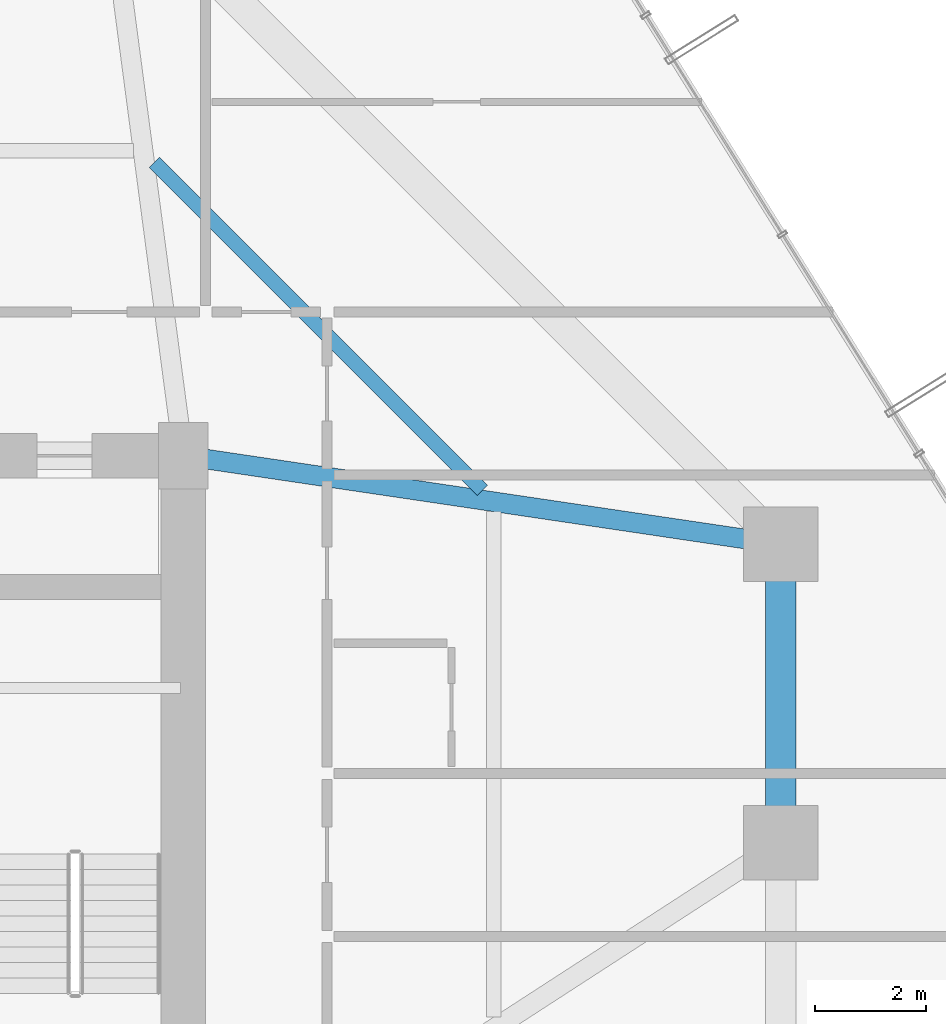
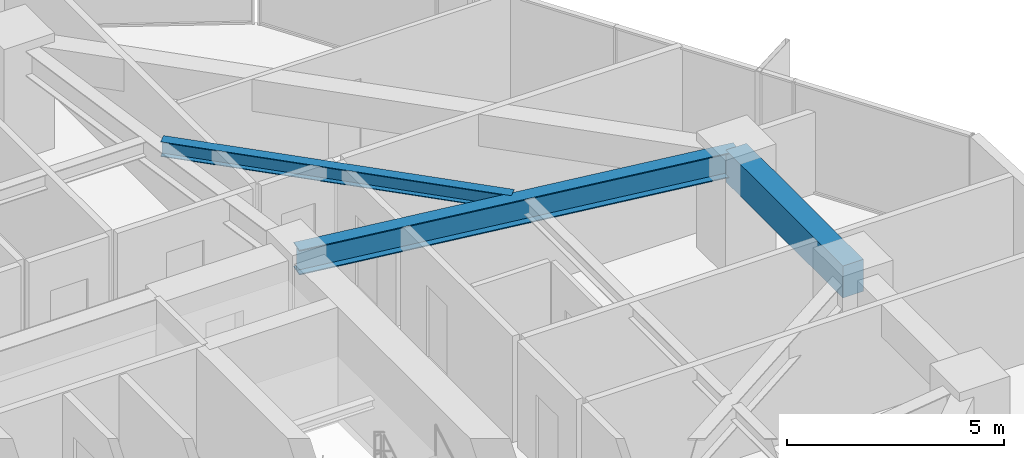
# One storey, part 21 of 39: 3 beams.
"""IFC4 building model written with IfcOpenShell, lengths in metres."""

from ifc_helpers import new_model, si_unit, direction, frame, origin, origin_2d, place, context, subcontext, project, spatial, rectangle, i_section, extrude, material, material_profile, profile_set, type_object, element, save


model = new_model("IFC4")

# Units and contexts
model_context = context("Model", 3, precision=1e-05, world=origin(), true_north=direction((0.0, 1.0)))
body_context = subcontext(model_context, "Body", "Model", "MODEL_VIEW")
ifc_project = project(units=[si_unit("LENGTHUNIT", "METRE"), si_unit("AREAUNIT", "SQUARE_METRE"), si_unit("VOLUMEUNIT", "CUBIC_METRE"), si_unit("PLANEANGLEUNIT", "RADIAN"), si_unit("MASSUNIT", "GRAM", prefix="KILO")], contexts=[model_context])

# Site, building, storey
site_placement = place(None, origin())
site = spatial("IfcSite", under=ifc_project, at=site_placement, CompositionType="ELEMENT")
building_placement = place(site_placement, origin())
building = spatial("IfcBuilding", under=site, at=building_placement, Name="Veraguas Prism Commons", CompositionType="ELEMENT")
storey_placement = place(building_placement, frame((0.0, 0.0, 30.550048828125)))
storey = spatial("IfcBuildingStorey", under=building, at=storey_placement, Name="L07", CompositionType="ELEMENT", Elevation=30.550048828125)

# Beams
ifc_material_1 = material(Name="Steel ASTM A992 Grade 50", Category="steel")
ifc_material_profile_1 = material_profile(ifc_material_1, i_section(OverallWidth=0.260986328125, OverallDepth=0.419921875, WebThickness=0.01171875, FlangeThickness=0.019287109375, at=origin_2d()), Name="W410X114")
ifc_profile_set_1 = profile_set([ifc_material_profile_1], Name="Steel ASTM A992 Grade 50")
beam_type_1 = type_object("IfcBeamType", Name="Lower Floor Joist W410x114", PredefinedType="JOIST", material=ifc_profile_set_1)
beam_1_placement = place(storey_placement, frame((36.20703125, 30.376953125, 2.7900390625), z_axis=(-0.707092226423, 0.70712133565, 0.0), x_axis=(-0.70712133565, -0.707092226423, 0.0)))
element("IfcBeam", 1, at=beam_1_placement, inside=storey, type_object=beam_type_1, Name="Composite Floor Joist L07-JS03", PredefinedType="JOIST", context=body_context, shape_type="SweptSolid", body=[
    extrude(i_section(OverallWidth=0.260986328125, OverallDepth=0.419921875, WebThickness=0.01171875, FlangeThickness=0.019287109375, at=origin_2d()), origin(), (0.0, 0.0, 1.0), 8.386962890625),
])
ifc_material_2 = material(Name="Concrete C50/60", Category="concrete")
ifc_material_profile_2 = material_profile(ifc_material_2, rectangle(XDim=0.550048828125, YDim=0.89990234375, at=origin_2d()), Name="RC550X900")
ifc_profile_set_2 = profile_set([ifc_material_profile_2], Name="Concrete C50/60")
beam_type_2 = type_object("IfcBeamType", Name="Perimeter Spandrel Lower RC 550x900", PredefinedType="SPANDREL", material=ifc_profile_set_2)
beam_2_placement = place(storey_placement, frame((41.60009765625, 24.0, 2.550048828125), z_axis=(0.0, 1.0, 0.0), x_axis=(-1.0, 0.0, 0.0)))
element("IfcBeam", 2, at=beam_2_placement, inside=storey, type_object=beam_type_2, Name="Perimeter Spandrel Beam L07-SP02", PredefinedType="SPANDREL", context=body_context, shape_type="SweptSolid", body=[
    extrude(rectangle(XDim=0.550048828125, YDim=0.89990234375, at=origin_2d()), origin(), (0.0, 0.0, 1.0), 5.39990234375),
])
ifc_material_profile_3 = material_profile(ifc_material_1, i_section(OverallWidth=0.35595703125, OverallDepth=0.700927734375, WebThickness=0.016845703125, FlangeThickness=0.02734375, at=origin_2d()), Name="W690X240")
ifc_profile_set_3 = profile_set([ifc_material_profile_3], Name="Steel ASTM A992 Grade 50")
beam_type_3 = type_object("IfcBeamType", Name="Zone 1 Radial Girder W690x240", PredefinedType="BEAM", material=ifc_profile_set_3)
beam_3_placement = place(storey_placement, frame((41.60009765625, 29.39990234375, 2.6494140625), z_axis=(-0.989202261707, 0.146556765224, 0.0), x_axis=(-0.146556765224, -0.989202261707, 0.0)))
element("IfcBeam", 3, at=beam_3_placement, inside=storey, type_object=beam_type_3, Name="Radial Floor Girder L07-RD03", PredefinedType="BEAM", context=body_context, shape_type="SweptSolid", body=[
    extrude(i_section(OverallWidth=0.35595703125, OverallDepth=0.700927734375, WebThickness=0.016845703125, FlangeThickness=0.02734375, at=origin_2d()), origin(), (0.0, 0.0, 1.0), 10.91796875),
])

save(model, "model.ifc")
